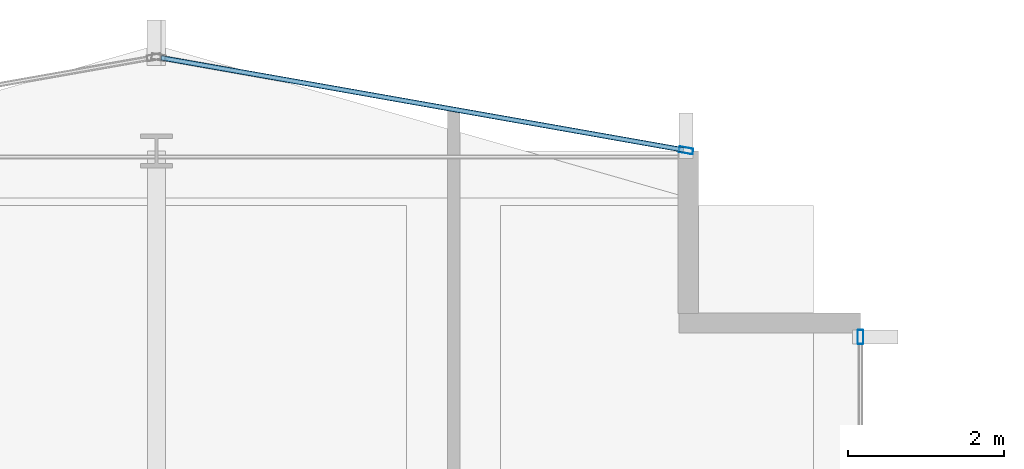
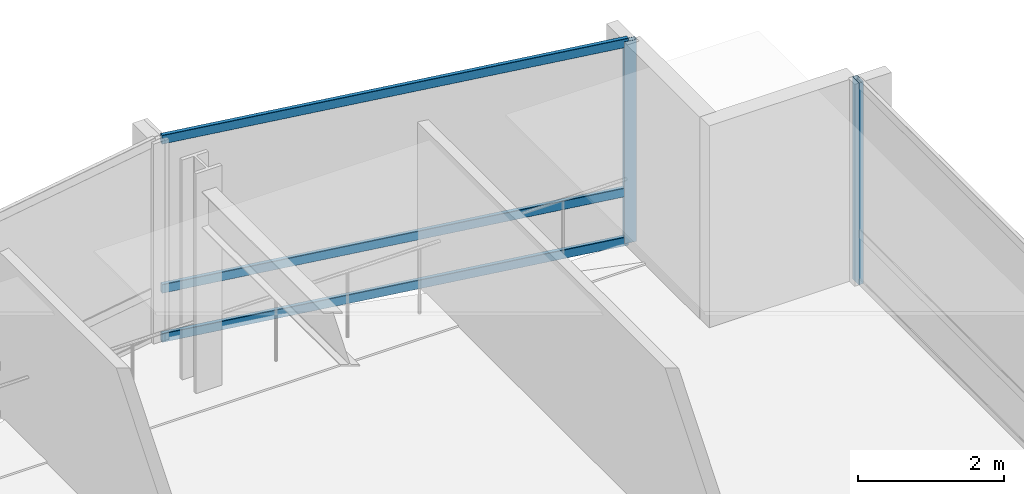
# One storey, part 20 of 29: 5 members, 2 elements without a shape of their own.
"""IFC4 building model written with IfcOpenShell, lengths in metres."""

from ifc_helpers import new_model, si_unit, direction, frame, origin, origin_2d, place, context, subcontext, project, spatial, hollow_rectangle, extrude, material, layer, layer_set, material_profile, profile_set, type_object, element, aggregate, save


model = new_model("IFC4")

# Units and contexts
model_context = context("Model", 3, precision=1e-05, world=origin(), true_north=direction((0.0, 1.0)))
body_context = subcontext(model_context, "Body", "Model", "MODEL_VIEW")
ifc_project = project(units=[si_unit("LENGTHUNIT", "METRE"), si_unit("AREAUNIT", "SQUARE_METRE"), si_unit("VOLUMEUNIT", "CUBIC_METRE"), si_unit("PLANEANGLEUNIT", "RADIAN"), si_unit("MASSUNIT", "GRAM", prefix="KILO")], contexts=[model_context])

# Site, building, storey
site_placement = place(None, origin())
site = spatial("IfcSite", under=ifc_project, at=site_placement, CompositionType="ELEMENT")
building_placement = place(site_placement, origin())
building = spatial("IfcBuilding", under=site, at=building_placement, Name="Solvaryn Broadcast Tower", CompositionType="ELEMENT")
storey_placement = place(building_placement, frame((0.0, 0.0, 165.5)))
storey = spatial("IfcBuildingStorey", under=building, at=storey_placement, Name="L41", CompositionType="ELEMENT", Elevation=165.5)

# Curtain wall, member
ifc_material_1 = material(Name="Aluminium and Terracotta Unitised Curtain Wall", Category="masonry")
ifc_layer = layer(ifc_material_1, 0.199951171875)
ifc_layer_set = layer_set([ifc_layer], Name="CW-SYS2-LOWMID")
curtain_wall_type = type_object("IfcCurtainWallType", Name="CW-SYS2-LOWMID", PredefinedType="NOTDEFINED", material=ifc_layer_set)
curtain_wall_1_placement = place(storey_placement, origin())
curtain_wall_1 = element("IfcCurtainWall", 1, at=curtain_wall_1_placement, inside=storey, type_object=curtain_wall_type, Name="L41 Curtain Wall IV", PredefinedType="NOTDEFINED")
ifc_material_2 = material(Name="Anodised Aluminium 6063-T6", Category="aluminium")
ifc_material_profile_1 = material_profile(ifc_material_2, hollow_rectangle(XDim=0.074951171875, YDim=0.179931640625, WallThickness=0.00390625, InnerFilletRadius=0.00390625, OuterFilletRadius=0.008056640625, at=origin_2d()))
ifc_profile_set_1 = profile_set([ifc_material_profile_1], Name="Anodised Aluminium 6063-T6")
member_type_1 = type_object("IfcMemberType", Name="CW-MUL-180", PredefinedType="MULLION", material=ifc_profile_set_1)
member_1_placement = place(storey_placement, frame((27.0, 51.6201171875, 0.0), z_axis=(0.0, 0.0, 1.0), x_axis=(1.0, 0.0, 0.0)))
member_1 = element("IfcMember", 2, at=member_1_placement, type_object=member_type_1, Name="CWS2 mullion 1", PredefinedType="MULLION", context=body_context, shape_type="SweptSolid", body=[
    extrude(hollow_rectangle(XDim=0.074951171875, YDim=0.179931640625, WallThickness=0.00390625, InnerFilletRadius=0.00390625, OuterFilletRadius=0.008056640625, at=origin_2d()), origin(), (0.0, 0.0, 1.0), 3.3701171875),
])
aggregate(curtain_wall_1, [member_1])

# Curtain wall, members
curtain_wall_2_placement = place(storey_placement, origin())
curtain_wall_2 = element("IfcCurtainWall", 3, at=curtain_wall_2_placement, inside=storey, type_object=curtain_wall_type, Name="L41 Curtain Wall NT1", PredefinedType="NOTDEFINED")
member_2_placement = place(storey_placement, frame((24.7705078125, 54.005126953125, 0.0), z_axis=(0.0, 0.0, 1.0), x_axis=(-0.173785333901, -0.984783558819, 0.0)))
member_2 = element("IfcMember", 4, at=member_2_placement, type_object=member_type_1, Name="CWS2 mullion 1", PredefinedType="MULLION", context=body_context, shape_type="SweptSolid", body=[
    extrude(hollow_rectangle(XDim=0.074951171875, YDim=0.179931640625, WallThickness=0.00390625, InnerFilletRadius=0.00390625, OuterFilletRadius=0.008056640625, at=origin_2d()), origin(), (0.0, 0.0, 1.0), 3.3701171875),
])
ifc_material_3 = material(Name="Anodised Aluminium 6063-T6", Category="aluminium")
ifc_material_profile_2 = material_profile(ifc_material_3, hollow_rectangle(XDim=0.06494140625, YDim=0.14990234375, WallThickness=0.00390625, InnerFilletRadius=0.00390625, OuterFilletRadius=0.008056640625, at=origin_2d()))
ifc_profile_set_2 = profile_set([ifc_material_profile_2], Name="Anodised Aluminium 6063-T6")
member_type_2 = type_object("IfcMemberType", Name="CW-TRN-150", PredefinedType="USERDEFINED", material=ifc_profile_set_2)
member_3_placement = place(storey_placement, frame((24.740966796875, 54.010498046875, 0.030029296875), z_axis=(-0.984788629673, 0.173756596613, 0.0), x_axis=(-0.173756596613, -0.984788629673, 0.0)))
member_3 = element("IfcMember", 5, at=member_3_placement, type_object=member_type_2, Name="CWS2 transom 1.1", ObjectType="TRANSOM", PredefinedType="USERDEFINED", context=body_context, shape_type="SweptSolid", body=[
    extrude(hollow_rectangle(XDim=0.06494140625, YDim=0.14990234375, WallThickness=0.00390625, InnerFilletRadius=0.00390625, OuterFilletRadius=0.008056640625, at=origin_2d()), origin(), (0.0, 0.0, 1.0), 6.78515625),
])
member_4_placement = place(storey_placement, frame((24.740966796875, 54.010498046875, 0.85009765625), z_axis=(-0.984788629673, 0.173756596613, 0.0), x_axis=(-0.173756596613, -0.984788629673, 0.0)))
member_4 = element("IfcMember", 6, at=member_4_placement, type_object=member_type_2, Name="CWS2 transom 1.2", ObjectType="TRANSOM", PredefinedType="USERDEFINED", context=body_context, shape_type="SweptSolid", body=[
    extrude(hollow_rectangle(XDim=0.06494140625, YDim=0.14990234375, WallThickness=0.00390625, InnerFilletRadius=0.00390625, OuterFilletRadius=0.008056640625, at=origin_2d()), origin(), (0.0, 0.0, 1.0), 6.78515625),
])
member_5_placement = place(storey_placement, frame((24.740966796875, 54.010498046875, 3.340087890625), z_axis=(-0.984788629673, 0.173756596613, 0.0), x_axis=(-0.173756596613, -0.984788629673, 0.0)))
member_5 = element("IfcMember", 7, at=member_5_placement, type_object=member_type_2, Name="CWS2 transom 1.3", ObjectType="TRANSOM", PredefinedType="USERDEFINED", context=body_context, shape_type="SweptSolid", body=[
    extrude(hollow_rectangle(XDim=0.06494140625, YDim=0.14990234375, WallThickness=0.00390625, InnerFilletRadius=0.00390625, OuterFilletRadius=0.008056640625, at=origin_2d()), origin(), (0.0, 0.0, 1.0), 6.78515625),
])
aggregate(curtain_wall_2, [member_2, member_3, member_4, member_5])

save(model, "model.ifc")
